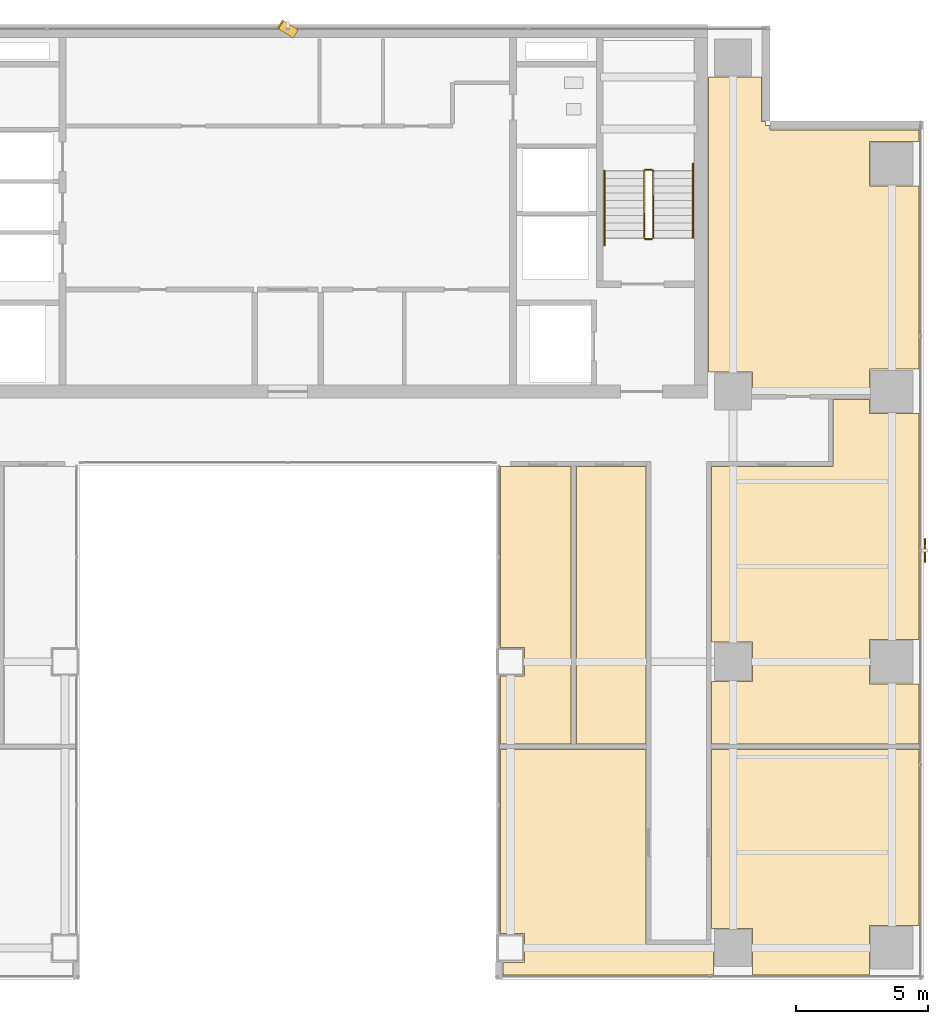
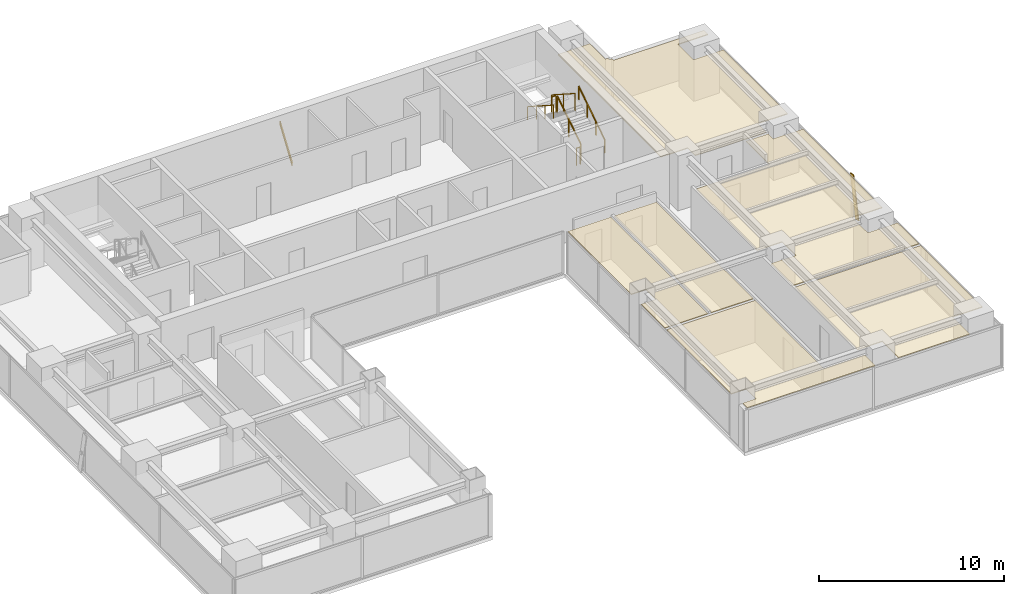
# One storey, part 28 of 29: 6 coverings, 6 railings, 2 shading devices.
"""IFC4 building model written with IfcOpenShell, lengths in metres."""

from ifc_helpers import new_model, si_unit, direction, frame, origin, origin_2d, place, context, subcontext, project, spatial, polyline, rectangle, outline, extrude, source, transform, mapped, material, layer, layer_set, material_profile, profile_set, type_object, element, save


model = new_model("IFC4")

# Units and contexts
model_context = context("Model", 3, precision=1e-05, world=origin(), true_north=direction((0.0, 1.0)))
body_context = subcontext(model_context, "Body", "Model", "MODEL_VIEW")
ifc_project = project(units=[si_unit("LENGTHUNIT", "METRE"), si_unit("AREAUNIT", "SQUARE_METRE"), si_unit("VOLUMEUNIT", "CUBIC_METRE"), si_unit("PLANEANGLEUNIT", "RADIAN"), si_unit("MASSUNIT", "GRAM", prefix="KILO")], contexts=[model_context])

# Site, building, storey
site_placement = place(None, origin())
site = spatial("IfcSite", under=ifc_project, at=site_placement, CompositionType="ELEMENT")
building_placement = place(site_placement, origin())
building = spatial("IfcBuilding", under=site, at=building_placement, Name="Sumidabori Civic Tower", CompositionType="ELEMENT")
storey_placement = place(building_placement, frame((0.0, 0.0, 218.0)))
storey = spatial("IfcBuildingStorey", under=building, at=storey_placement, Name="L56", CompositionType="ELEMENT", Elevation=218.0)

# Coverings
ifc_material_1 = material(Name="Anodised Bronze Baffle Ceiling")
ifc_layer = layer(ifc_material_1, 0.054931640625, Name="Anodised Bronze Baffle Ceiling")
ifc_layer_set = layer_set([ifc_layer], Name="Anodised Bronze Baffle Ceiling")
covering_type = type_object("IfcCoveringType", Name="CV-CEIL-AC3", PredefinedType="CEILING", material=ifc_layer_set)
covering_1_placement = place(storey_placement, frame((0.0, 0.0, 2.72998046875)))
element("IfcCovering", 1, at=covering_1_placement, inside=storey, type_object=covering_type, Name="Room Acoustic Ceiling L56-02", PredefinedType="CEILING", context=body_context, shape_type="SweptSolid", body=[
    extrude(outline(polyline([(23.830078125, 20.072021484375), (23.830078125, 19.639892578125), (21.9599609375, 19.639892578125), (21.9599609375, 17.9599609375), (23.830078125, 17.9599609375), (23.830078125, 11.0400390625), (21.9599609375, 11.0400390625), (21.9599609375, 10.1025390625), (20.5849609375, 10.1025390625), (20.5849609375, 10.135009765625), (17.5400390625, 10.135009765625), (17.5400390625, 10.93994140625), (15.8779296875, 10.93994140625), (15.8779296875, 22.06005859375), (17.8720703125, 22.06005859375), (17.8720703125, 20.39208984375), (18.030029296875, 20.39208984375), (18.030029296875, 20.22998046875), (18.19189453125, 20.22998046875), (18.19189453125, 20.072021484375), (23.830078125, 20.072021484375)])), origin(), (0.0, 0.0, 1.0), 0.054931640625),
])
covering_2_placement = place(storey_placement, frame((0.0, 0.0, 2.72998046875)))
element("IfcCovering", 2, at=covering_2_placement, inside=storey, type_object=covering_type, Name="Room Acoustic Ceiling L56-04", PredefinedType="CEILING", context=body_context, shape_type="SweptSolid", body=[
    extrude(outline(polyline([(15.985107421875, -0.739990234375), (17.5400390625, -0.739990234375), (17.5400390625, 0.739990234375), (15.985107421875, 0.739990234375), (15.985107421875, 7.364990234375), (20.5673828125, 7.364990234375), (20.5849609375, 7.369384765625), (20.5849609375, 9.8974609375), (21.9599609375, 9.8974609375), (21.9599609375, 9.360107421875), (23.830078125, 9.360107421875), (23.830078125, 0.840087890625), (21.9599609375, 0.840087890625), (21.9599609375, -0.840087890625), (23.830078125, -0.840087890625), (23.830078125, -3.097412109375), (15.985107421875, -3.097412109375), (15.985107421875, -0.739990234375)])), origin(), (0.0, 0.0, 1.0), 0.054931640625),
])
covering_3_placement = place(storey_placement, frame((0.0, 0.0, 2.72998046875)))
element("IfcCovering", 3, at=covering_3_placement, inside=storey, type_object=covering_type, Name="Room Acoustic Ceiling L56-06", PredefinedType="CEILING", context=body_context, shape_type="SweptSolid", body=[
    extrude(outline(polyline([(8.02001953125, -3.097412109375), (8.02001953125, -0.5400390625), (8.93994140625, -0.5400390625), (8.93994140625, 0.5400390625), (8.02001953125, 0.5400390625), (8.02001953125, 7.364990234375), (10.697509765625, 7.364990234375), (10.697509765625, -3.097412109375), (8.02001953125, -3.097412109375)])), origin(), (0.0, 0.0, 1.0), 0.054931640625),
])
covering_4_placement = place(storey_placement, frame((0.0, 0.0, 2.72998046875)))
element("IfcCovering", 4, at=covering_4_placement, inside=storey, type_object=covering_type, Name="Room Acoustic Ceiling L56-08", PredefinedType="CEILING", context=body_context, shape_type="SweptSolid", body=[
    extrude(outline(polyline([(10.902587890625, -3.097412109375), (10.902587890625, 7.364990234375), (13.514892578125, 7.364990234375), (13.514892578125, -3.097412109375), (10.902587890625, -3.097412109375)])), origin(), (0.0, 0.0, 1.0), 0.054931640625),
])
covering_5_placement = place(storey_placement, frame((0.0, 0.0, 2.72998046875)))
element("IfcCovering", 5, at=covering_5_placement, inside=storey, type_object=covering_type, Name="Room Acoustic Ceiling L56-10", PredefinedType="CEILING", context=body_context, shape_type="SweptSolid", body=[
    extrude(outline(polyline([(17.5400390625, -10.06005859375), (15.985107421875, -10.06005859375), (15.985107421875, -3.302490234375), (23.830078125, -3.302490234375), (23.830078125, -9.9599609375), (21.9599609375, -9.9599609375), (21.9599609375, -11.830078125), (17.5400390625, -11.830078125), (17.5400390625, -10.06005859375)])), origin(), (0.0, 0.0, 1.0), 0.054931640625),
])
covering_6_placement = place(storey_placement, frame((0.0, 0.0, 2.72998046875)))
element("IfcCovering", 6, at=covering_6_placement, inside=storey, type_object=covering_type, Name="Room Acoustic Ceiling L56-12", PredefinedType="CEILING", context=body_context, shape_type="SweptSolid", body=[
    extrude(outline(polyline([(8.93994140625, -11.340087890625), (8.93994140625, -10.260009765625), (8.02001953125, -10.260009765625), (8.02001953125, -3.302490234375), (13.514892578125, -3.302490234375), (13.514892578125, -10.68505859375), (16.06005859375, -10.68505859375), (16.06005859375, -11.830078125), (8.117919921875, -11.830078125), (8.117919921875, -11.340087890625), (8.93994140625, -11.340087890625)])), origin(), (0.0, 0.0, 1.0), 0.054931640625),
])

# Railings
ifc_material_2 = material(Name="Stainless Steel Hairline Finish", Category="steel")
railing_type_1 = type_object("IfcRailingType", Name="RL-HANDRAIL", PredefinedType="HANDRAIL", material=ifc_material_2)
railing_1_placement = place(storey_placement, frame((15.2900390625, 16.0, 0.179931640625)))
element("IfcRailing", 7, at=railing_1_placement, inside=storey, type_object=railing_type_1, Name="L56 ST-2 stair handrail 1", PredefinedType="HANDRAIL", context=body_context, shape_type="SweptSolid", body=[
    extrude(rectangle(XDim=0.048095703125, YDim=0.048095703125, at=origin_2d()), frame((0.0, 0.0, 0.8759765625), z_axis=(0.0, 0.84064222762, 0.54159084662), x_axis=(-1.0, 0.0, 0.0)), (0.0, 0.0, 1.0), 3.330810546875),
    extrude(rectangle(XDim=0.0419921875, YDim=0.0419921875, at=origin_2d()), origin(), (0.0, 0.0, 1.0), 0.851806640625),
    extrude(rectangle(XDim=0.0419921875, YDim=0.0419921875, at=origin_2d()), frame((0.0, 0.933349609375, 0.601318359375)), (0.0, 0.0, 1.0), 0.851806640625),
    extrude(rectangle(XDim=0.0419921875, YDim=0.0419921875, at=origin_2d()), frame((0.0, 1.86669921875, 1.20263671875)), (0.0, 0.0, 1.0), 0.851806640625),
    extrude(rectangle(XDim=0.0419921875, YDim=0.0419921875, at=origin_2d()), frame((0.0, 2.800048828125, 1.803955078125)), (0.0, 0.0, 1.0), 0.851806640625),
])
railing_2_placement = place(storey_placement, frame((11.949951171875, 18.52001953125, 1.97998046875)))
element("IfcRailing", 8, at=railing_2_placement, inside=storey, type_object=railing_type_1, Name="L56 ST-2 stair handrail 2", PredefinedType="HANDRAIL", context=body_context, shape_type="SweptSolid", body=[
    extrude(rectangle(XDim=0.048095703125, YDim=0.048095703125, at=origin_2d()), frame((0.0, 0.0, 0.8759765625), z_axis=(0.0, -0.840675598268, 0.541539046124), x_axis=(1.0, 0.0, 0.0)), (0.0, 0.0, 1.0), 3.330810546875),
    extrude(rectangle(XDim=0.0419921875, YDim=0.0419921875, at=origin_2d()), origin(), (0.0, 0.0, 1.0), 0.851806640625),
    extrude(rectangle(XDim=0.0419921875, YDim=0.0419921875, at=origin_2d()), frame((0.0, -0.933349609375, 0.601318359375)), (0.0, 0.0, 1.0), 0.851806640625),
    extrude(rectangle(XDim=0.0419921875, YDim=0.0419921875, at=origin_2d()), frame((0.0, -1.86669921875, 1.202392578125)), (0.0, 0.0, 1.0), 0.851806640625),
    extrude(rectangle(XDim=0.0419921875, YDim=0.0419921875, at=origin_2d()), frame((0.0, -2.800048828125, 1.8037109375)), (0.0, 0.0, 1.0), 0.851806640625),
])
ifc_material_3 = material(Name="Steel SN490", Category="steel")
railing_type_2 = type_object("IfcRailingType", Name="RL-STAIR-GUARD", PredefinedType="GUARDRAIL", material=ifc_material_3)
railing_3_placement = place(storey_placement, frame((13.7900390625, 16.0, 0.179931640625)))
element("IfcRailing", 9, at=railing_3_placement, inside=storey, type_object=railing_type_2, Name="L56 ST-2 stair guard 1", PredefinedType="GUARDRAIL", context=body_context, shape_type="SweptSolid", body=[
    extrude(rectangle(XDim=0.048095703125, YDim=0.048095703125, at=origin_2d()), frame((0.0, 0.0, 1.1259765625), z_axis=(0.0, 0.841162588446, 0.540782303519), x_axis=(-1.0, 0.0, 0.0)), (0.0, 0.0, 1.0), 2.995849609375),
    extrude(rectangle(XDim=0.0419921875, YDim=0.0419921875, at=origin_2d()), origin(), (0.0, 0.0, 1.0), 1.101806640625),
    extrude(rectangle(XDim=0.0419921875, YDim=0.0419921875, at=origin_2d()), frame((0.0, 1.260009765625, 0.81005859375)), (0.0, 0.0, 1.0), 1.101806640625),
    extrude(rectangle(XDim=0.0419921875, YDim=0.0419921875, at=origin_2d()), frame((0.0, 2.52001953125, 1.6201171875)), (0.0, 0.0, 1.0), 1.101806640625),
])
railing_4_placement = place(storey_placement, frame((13.739990234375, 18.570068359375, 1.800048828125)))
element("IfcRailing", 10, at=railing_4_placement, inside=storey, type_object=railing_type_2, Name="L56 ST-2 stair guard 2", PredefinedType="GUARDRAIL", context=body_context, shape_type="SweptSolid", body=[
    extrude(rectangle(XDim=0.048095703125, YDim=0.048095703125, at=origin_2d()), frame((0.0, 0.0, 1.1259765625), z_axis=(-1.0, 0.0, 0.0), x_axis=(0.0, -1.0, 0.0)), (0.0, 0.0, 1.0), 0.239990234375),
    extrude(rectangle(XDim=0.0419921875, YDim=0.0419921875, at=origin_2d()), origin(), (0.0, 0.0, 1.0), 1.101806640625),
    extrude(rectangle(XDim=0.0419921875, YDim=0.0419921875, at=origin_2d()), frame((-0.239990234375, 0.0, 0.0)), (0.0, 0.0, 1.0), 1.101806640625),
])
railing_5_placement = place(storey_placement, frame((13.449951171875, 18.52001953125, 1.97998046875)))
element("IfcRailing", 11, at=railing_5_placement, inside=storey, type_object=railing_type_2, Name="L56 ST-2 stair guard 3", PredefinedType="GUARDRAIL", context=body_context, shape_type="SweptSolid", body=[
    extrude(rectangle(XDim=0.048095703125, YDim=0.048095703125, at=origin_2d()), frame((0.0, 0.0, 1.1259765625), z_axis=(0.0, -0.841162588446, 0.540782303519), x_axis=(1.0, 0.0, 0.0)), (0.0, 0.0, 1.0), 2.995849609375),
    extrude(rectangle(XDim=0.0419921875, YDim=0.0419921875, at=origin_2d()), origin(), (0.0, 0.0, 1.0), 1.101806640625),
    extrude(rectangle(XDim=0.0419921875, YDim=0.0419921875, at=origin_2d()), frame((0.0, -1.260009765625, 0.81005859375)), (0.0, 0.0, 1.0), 1.101806640625),
    extrude(rectangle(XDim=0.0419921875, YDim=0.0419921875, at=origin_2d()), frame((0.0, -2.52001953125, 1.6201171875)), (0.0, 0.0, 1.0), 1.101806640625),
])
railing_6_placement = place(storey_placement, frame((13.739990234375, 15.949951171875, 0.0)))
element("IfcRailing", 12, at=railing_6_placement, inside=storey, type_object=railing_type_2, Name="L56 ST-2 stair guard 4", PredefinedType="GUARDRAIL", context=body_context, shape_type="SweptSolid", body=[
    extrude(rectangle(XDim=0.048095703125, YDim=0.048095703125, at=origin_2d()), frame((0.0, 0.0, 1.1259765625), z_axis=(-1.0, 0.0, 0.0), x_axis=(0.0, -1.0, 0.0)), (0.0, 0.0, 1.0), 0.239990234375),
    extrude(rectangle(XDim=0.0419921875, YDim=0.0419921875, at=origin_2d()), origin(), (0.0, 0.0, 1.0), 1.101806640625),
    extrude(rectangle(XDim=0.0419921875, YDim=0.0419921875, at=origin_2d()), frame((-0.239990234375, 0.0, 0.0)), (0.0, 0.0, 1.0), 1.101806640625),
])

# Shading devices
ifc_material_4 = material(Name="Anodised Bronze Aluminium AW-6063-T6", Category="aluminium")
ifc_material_profile = material_profile(ifc_material_4, rectangle(XDim=0.054931640625, YDim=0.360107421875, at=origin_2d()), Name="BRONZE FIN 360x55")
ifc_profile_set = profile_set([ifc_material_profile], Name="Anodised Bronze Aluminium AW-6063-T6")
shading_device_type = type_object("IfcShadingDeviceType", Name="SH-FIN-360", PredefinedType="USERDEFINED", material=ifc_profile_set)
shared_shape_1 = source(origin(), body_context, "Body", "SweptSolid", [
    extrude(rectangle(XDim=0.054931640625, YDim=0.360107421875, at=origin_2d()), origin(), (0.0, 0.0, 1.0), 2.7783203125),
])
shading_device_1_placement = place(storey_placement, frame((0.280029296875, 23.7099609375, 0.02001953125), z_axis=(-0.201581748781, 0.122407748933, 0.971792746196), x_axis=(0.830641884105, -0.504395878186, 0.235836507862)))
element("IfcShadingDevice", 13, at=shading_device_1_placement, inside=storey, type_object=shading_device_type, Name="Bronze Anodised Diagonal Fin L56-02", ObjectType="FIN", PredefinedType="USERDEFINED", context=body_context, shape_type="MappedRepresentation", body=[
    mapped(shared_shape_1, transform((0.0, 0.0, 0.0), x_axis=(1.0, 0.0, 0.0), y_axis=(0.0, 1.0, 0.0), z_axis=(0.0, 0.0, 1.0), scale=1.0)),
])
shared_shape_2 = source(origin(), body_context, "Body", "SweptSolid", [
    extrude(rectangle(XDim=0.054931640625, YDim=0.360107421875, at=origin_2d()), origin(), (0.0, 0.0, 1.0), 2.75732421875),
])
shading_device_2_placement = place(storey_placement, frame((24.050048828125, 3.919921875, 0.02001953125), z_axis=(0.0, 0.203109150817, 0.979156102393), x_axis=(-1.0, 0.0, 0.0)))
element("IfcShadingDevice", 14, at=shading_device_2_placement, inside=storey, type_object=shading_device_type, Name="Bronze Anodised Diagonal Fin L56-02", ObjectType="FIN", PredefinedType="USERDEFINED", context=body_context, shape_type="MappedRepresentation", body=[
    mapped(shared_shape_2, transform((0.0, 0.0, 0.0), x_axis=(1.0, 0.0, 0.0), y_axis=(0.0, 1.0, 0.0), z_axis=(0.0, 0.0, 1.0), scale=1.0)),
])

save(model, "model.ifc")
